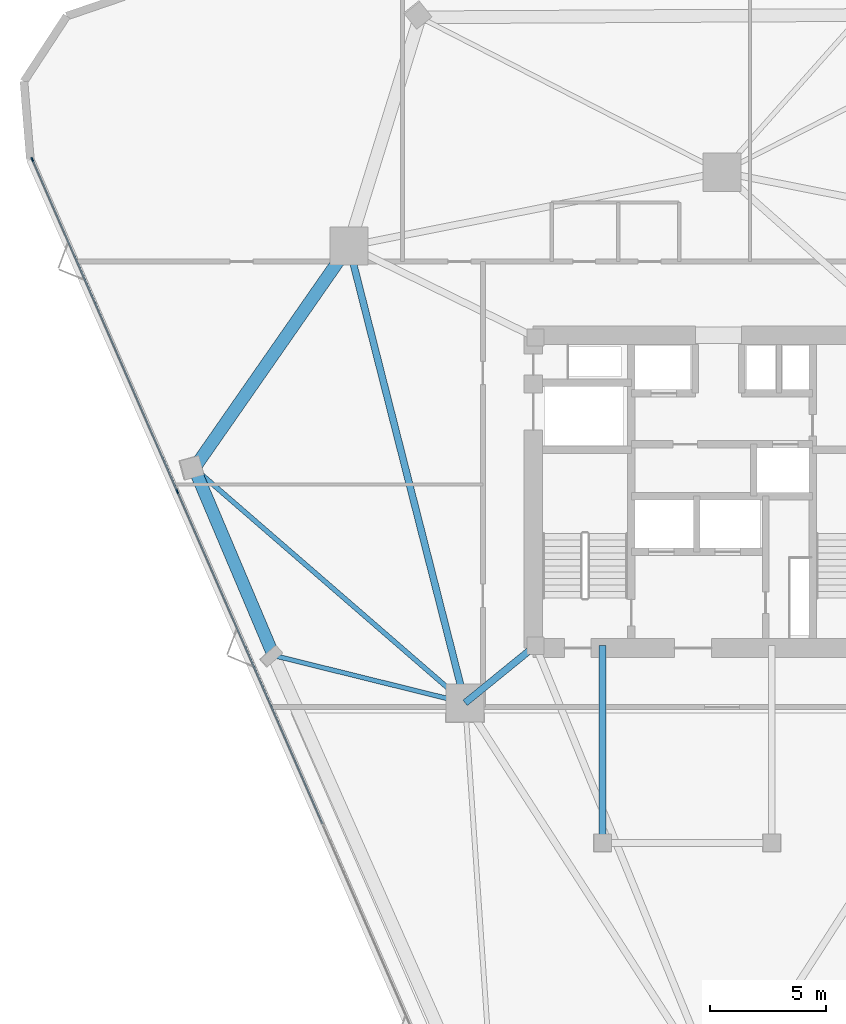
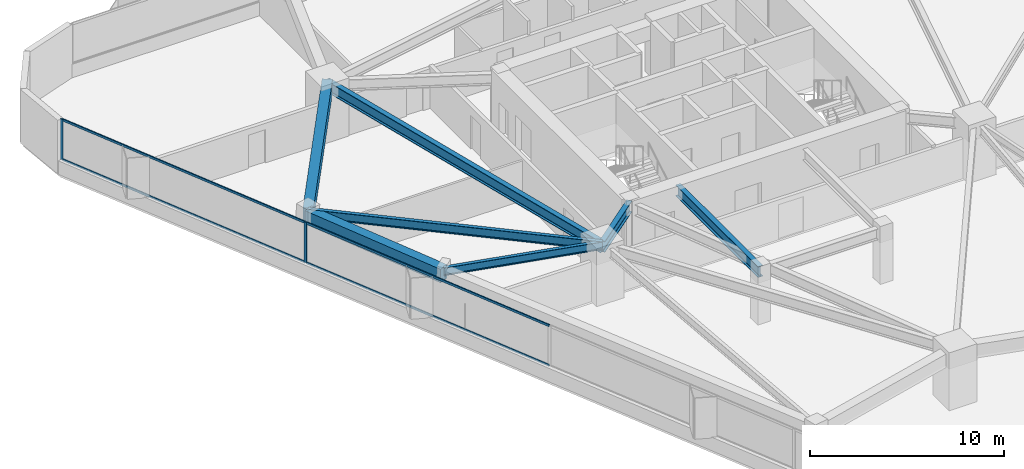
# One storey, part 4 of 15: 7 beams, 6 members, 1 element without a shape of its own.
"""IFC4 building model written with IfcOpenShell, lengths in metres."""

from ifc_helpers import new_model, si_unit, direction, frame, origin, origin_2d, place, context, subcontext, project, spatial, rectangle, i_section, extrude, material, layer, layer_set, material_profile, profile_set, type_object, element, aggregate, save


model = new_model("IFC4")

# Units and contexts
model_context = context("Model", 3, precision=1e-05, world=origin(), true_north=direction((0.0, 1.0)))
body_context = subcontext(model_context, "Body", "Model", "MODEL_VIEW")
ifc_project = project(units=[si_unit("LENGTHUNIT", "METRE"), si_unit("AREAUNIT", "SQUARE_METRE"), si_unit("VOLUMEUNIT", "CUBIC_METRE"), si_unit("PLANEANGLEUNIT", "RADIAN"), si_unit("MASSUNIT", "GRAM", prefix="KILO")], contexts=[model_context])

# Site, building, storey
site_placement = place(None, origin())
site = spatial("IfcSite", under=ifc_project, at=site_placement, CompositionType="ELEMENT")
building_placement = place(site_placement, origin())
building = spatial("IfcBuilding", under=site, at=building_placement, Name="Talyreon Biosciences Tower", CompositionType="ELEMENT")
storey_placement = place(building_placement, frame((0.0, 0.0, 111.5)))
storey = spatial("IfcBuildingStorey", under=building, at=storey_placement, Name="L29", CompositionType="ELEMENT", Elevation=111.5)

# Curtain wall, members
ifc_material_1 = material(Name="Thermally broken aluminium and low-E glazing", Category="aluminium")
ifc_layer = layer(ifc_material_1, 0.18994140625)
ifc_layer_set = layer_set([ifc_layer], Name="Thermally broken aluminium and low-E glazing")
curtain_wall_type = type_object("IfcCurtainWallType", Name="CurtainWall_Zone2Genomics", PredefinedType="NOTDEFINED", material=ifc_layer_set)
curtain_wall_placement = place(storey_placement, origin())
curtain_wall = element("IfcCurtainWall", 1, at=curtain_wall_placement, inside=storey, type_object=curtain_wall_type, Name="L29 Unitised Curtain Wall FCW-L29-00", PredefinedType="NOTDEFINED")
ifc_material_2 = material(Name="Anodised thermally broken aluminium", Category="aluminium")
ifc_material_profile_1 = material_profile(ifc_material_2, rectangle(XDim=0.06494140625, YDim=0.179931640625, at=origin_2d()), Name="ALUM MULLION 65x180")
ifc_profile_set_1 = profile_set([ifc_material_profile_1], Name="Anodised thermally broken aluminium")
member_type_1 = type_object("IfcMemberType", Name="CWMullion_65x180", PredefinedType="MULLION", material=ifc_profile_set_1)
member_1_placement = place(storey_placement, frame((42.49169921875, 68.009033203125, 0.81005859375), z_axis=(0.0, 0.0, 1.0), x_axis=(-0.916416470178, -0.400226002637, 0.0)))
member_1 = element("IfcMember", 2, at=member_1_placement, type_object=member_type_1, Name="CW3 mullion 4", PredefinedType="MULLION", context=body_context, shape_type="SweptSolid", body=[
    extrude(rectangle(XDim=0.06494140625, YDim=0.179931640625, at=origin_2d()), origin(), (0.0, 0.0, 1.0), 2.56494140625),
])
member_2_placement = place(storey_placement, frame((36.232421875, 82.3408203125, 0.81005859375), z_axis=(0.0, 0.0, 1.0), x_axis=(-0.916416470178, -0.400226002637, 0.0)))
member_2 = element("IfcMember", 3, at=member_2_placement, type_object=member_type_1, Name="CW3 mullion 5", PredefinedType="MULLION", context=body_context, shape_type="SweptSolid", body=[
    extrude(rectangle(XDim=0.06494140625, YDim=0.179931640625, at=origin_2d()), origin(), (0.0, 0.0, 1.0), 2.56494140625),
])
ifc_material_profile_2 = material_profile(ifc_material_2, rectangle(XDim=0.06494140625, YDim=0.139892578125, at=origin_2d()), Name="ALUM TRANSOM 65x140")
ifc_profile_set_2 = profile_set([ifc_material_profile_2], Name="Anodised thermally broken aluminium")
member_type_2 = type_object("IfcMemberType", Name="CWTransom_65x140", PredefinedType="USERDEFINED", material=ifc_profile_set_2)
member_3_placement = place(storey_placement, frame((48.750732421875, 53.67724609375, 0.842529296875), z_axis=(-0.400225422207, 0.916416723668, 0.0), x_axis=(-0.916416723668, -0.400225422207, 0.0)))
member_3 = element("IfcMember", 4, at=member_3_placement, type_object=member_type_2, Name="CW3 transom 3.1", ObjectType="TRANSOM", PredefinedType="USERDEFINED", context=body_context, shape_type="SweptSolid", body=[
    extrude(rectangle(XDim=0.06494140625, YDim=0.139892578125, at=origin_2d()), origin(), (0.0, 0.0, 1.0), 15.6064453125),
])
member_4_placement = place(storey_placement, frame((48.750732421875, 53.67724609375, 3.342529296875), z_axis=(-0.400225422207, 0.916416723668, 0.0), x_axis=(-0.916416723668, -0.400225422207, 0.0)))
member_4 = element("IfcMember", 5, at=member_4_placement, type_object=member_type_2, Name="CW3 transom 3.2", ObjectType="TRANSOM", PredefinedType="USERDEFINED", context=body_context, shape_type="SweptSolid", body=[
    extrude(rectangle(XDim=0.06494140625, YDim=0.139892578125, at=origin_2d()), origin(), (0.0, 0.0, 1.0), 15.6064453125),
])
member_5_placement = place(storey_placement, frame((42.478515625, 68.038818359375, 0.842529296875), z_axis=(-0.400215954954, 0.916420858231, 0.0), x_axis=(-0.916420858231, -0.400215954954, 0.0)))
member_5 = element("IfcMember", 6, at=member_5_placement, type_object=member_type_2, Name="CW3 transom 4.1", ObjectType="TRANSOM", PredefinedType="USERDEFINED", context=body_context, shape_type="SweptSolid", body=[
    extrude(rectangle(XDim=0.06494140625, YDim=0.139892578125, at=origin_2d()), origin(), (0.0, 0.0, 1.0), 15.573974609375),
])
member_6_placement = place(storey_placement, frame((42.478515625, 68.038818359375, 3.342529296875), z_axis=(-0.400215954954, 0.916420858231, 0.0), x_axis=(-0.916420858231, -0.400215954954, 0.0)))
member_6 = element("IfcMember", 7, at=member_6_placement, type_object=member_type_2, Name="CW3 transom 4.2", ObjectType="TRANSOM", PredefinedType="USERDEFINED", context=body_context, shape_type="SweptSolid", body=[
    extrude(rectangle(XDim=0.06494140625, YDim=0.139892578125, at=origin_2d()), origin(), (0.0, 0.0, 1.0), 15.573974609375),
])
aggregate(curtain_wall, [member_1, member_2, member_3, member_4, member_5, member_6])

# Beams
ifc_material_3 = material(Name="Precast concrete C45/55", Category="concrete")
ifc_material_profile_3 = material_profile(ifc_material_3, rectangle(XDim=0.550048828125, YDim=0.85009765625, at=origin_2d()), Name="RCB 550x850")
ifc_profile_set_3 = profile_set([ifc_material_profile_3], Name="Precast concrete C45/55")
beam_type_1 = type_object("IfcBeamType", Name="ExpressedSpandrel_550x850", PredefinedType="SPANDREL", material=ifc_profile_set_3)
beam_1_placement = place(storey_placement, frame((49.897705078125, 78.5986328125, 2.949951171875), z_axis=(-0.571488727896, -0.820609915787, 0.0), x_axis=(0.820609915787, -0.571488727896, 0.0)))
element("IfcBeam", 8, at=beam_1_placement, inside=storey, type_object=beam_type_1, Name="L29 Expressed Horizontal Concrete Spandrel 09", PredefinedType="SPANDREL", context=body_context, shape_type="SweptSolid", body=[
    extrude(rectangle(XDim=0.550048828125, YDim=0.85009765625, at=origin_2d()), origin(), (0.0, 0.0, 1.0), 11.6826171875),
])
beam_2_placement = place(storey_placement, frame((43.22119140625, 69.01171875, 2.949951171875), z_axis=(0.38977247553, -0.920911188617, 0.0), x_axis=(0.920911188617, 0.38977247553, 0.0)))
element("IfcBeam", 9, at=beam_2_placement, inside=storey, type_object=beam_type_1, Name="L29 Expressed Horizontal Concrete Spandrel 10", PredefinedType="SPANDREL", context=body_context, shape_type="SweptSolid", body=[
    extrude(rectangle(XDim=0.550048828125, YDim=0.85009765625, at=origin_2d()), origin(), (0.0, 0.0, 1.0), 8.776611328125),
])
ifc_material_4 = material(Name="Steel SM355", Category="steel")
ifc_material_profile_4 = material_profile(ifc_material_4, i_section(OverallWidth=0.300048828125, OverallDepth=0.699951171875, WebThickness=0.01708984375, FlangeThickness=0.031982421875, FilletRadius=0.027099609375, at=origin_2d()), Name="HE700B")
ifc_profile_set_4 = profile_set([ifc_material_profile_4], Name="Steel SM355")
beam_type_2 = type_object("IfcBeamType", Name="SteelGirder_HE700B", PredefinedType="BEAM", material=ifc_profile_set_4)
beam_3_placement = place(storey_placement, frame((49.897705078125, 78.5986328125, 3.02490234375), z_axis=(0.246537082299, -0.969133358755, 0.0), x_axis=(0.969133358755, 0.246537082299, 0.0)))
element("IfcBeam", 10, at=beam_3_placement, inside=storey, type_object=beam_type_2, Name="L29 Mega-Ring Girder 5", PredefinedType="BEAM", context=body_context, shape_type="SweptSolid", body=[
    extrude(i_section(OverallWidth=0.300048828125, OverallDepth=0.699951171875, WebThickness=0.01708984375, FlangeThickness=0.031982421875, FilletRadius=0.027099609375, at=origin_2d()), origin(), (0.0, 0.0, 1.0), 20.34619140625),
])
beam_4_placement = place(storey_placement, frame((57.949951171875, 61.35009765625, 3.02490234375), z_axis=(-0.775755154013, -0.631034025249, 0.0), x_axis=(0.631034025249, -0.775755154013, 0.0)))
element("IfcBeam", 11, at=beam_4_placement, inside=storey, type_object=beam_type_2, Name="L29 Radial Primary Girder 6", PredefinedType="BEAM", context=body_context, shape_type="SweptSolid", body=[
    extrude(i_section(OverallWidth=0.300048828125, OverallDepth=0.699951171875, WebThickness=0.01708984375, FlangeThickness=0.031982421875, FilletRadius=0.027099609375, at=origin_2d()), origin(), (0.0, 0.0, 1.0), 3.913818359375),
])
beam_5_placement = place(storey_placement, frame((60.85009765625, 52.840087890625, 3.02490234375), z_axis=(0.0, 1.0, 0.0), x_axis=(-1.0, 0.0, 0.0)))
element("IfcBeam", 12, at=beam_5_placement, inside=storey, type_object=beam_type_2, Name="L29 Crown Shaft Tie Girder W", PredefinedType="BEAM", context=body_context, shape_type="SweptSolid", body=[
    extrude(i_section(OverallWidth=0.300048828125, OverallDepth=0.699951171875, WebThickness=0.01708984375, FlangeThickness=0.031982421875, FilletRadius=0.027099609375, at=origin_2d()), origin(), (0.0, 0.0, 1.0), 8.510009765625),
])
ifc_material_profile_5 = material_profile(ifc_material_4, i_section(OverallWidth=0.199951171875, OverallDepth=0.5, WebThickness=0.01025390625, FlangeThickness=0.01611328125, FilletRadius=0.02099609375, at=origin_2d()), Name="IPE500")
ifc_profile_set_5 = profile_set([ifc_material_profile_5], Name="Steel SM355")
beam_type_3 = type_object("IfcBeamType", Name="SteelJoist_IPE500", PredefinedType="JOIST", material=ifc_profile_set_5)
beam_6_placement = place(storey_placement, frame((54.913818359375, 58.88037109375, 3.125), z_axis=(-0.970667690299, 0.240425113101, 0.0), x_axis=(-0.240425113101, -0.970667690299, 0.0)))
element("IfcBeam", 13, at=beam_6_placement, inside=storey, type_object=beam_type_3, Name="L29 Radial Composite Floor Joist PL-SW", PredefinedType="JOIST", context=body_context, shape_type="SweptSolid", body=[
    extrude(i_section(OverallWidth=0.199951171875, OverallDepth=0.5, WebThickness=0.01025390625, FlangeThickness=0.01611328125, FilletRadius=0.02099609375, at=origin_2d()), origin(), (0.0, 0.0, 1.0), 8.521728515625),
])
ifc_material_profile_6 = material_profile(ifc_material_4, i_section(OverallWidth=0.2099609375, OverallDepth=0.550048828125, WebThickness=0.010986328125, FlangeThickness=0.01708984375, FilletRadius=0.02392578125, at=origin_2d()), Name="IPE550")
ifc_profile_set_6 = profile_set([ifc_material_profile_6], Name="Steel SM355")
beam_type_4 = type_object("IfcBeamType", Name="SteelJoist_IPE550", PredefinedType="JOIST", material=ifc_profile_set_6)
beam_7_placement = place(storey_placement, frame((54.913818359375, 58.88037109375, 3.10009765625), z_axis=(-0.755761450851, 0.654847027486, 0.0), x_axis=(-0.654847027486, -0.755761450851, 0.0)))
element("IfcBeam", 14, at=beam_7_placement, inside=storey, type_object=beam_type_4, Name="L29 Radial Composite Floor Joist PC-SW1", PredefinedType="JOIST", context=body_context, shape_type="SweptSolid", body=[
    extrude(i_section(OverallWidth=0.2099609375, OverallDepth=0.550048828125, WebThickness=0.010986328125, FlangeThickness=0.01708984375, FilletRadius=0.02392578125, at=origin_2d()), origin(), (0.0, 0.0, 1.0), 15.471435546875),
])

save(model, "model.ifc")
